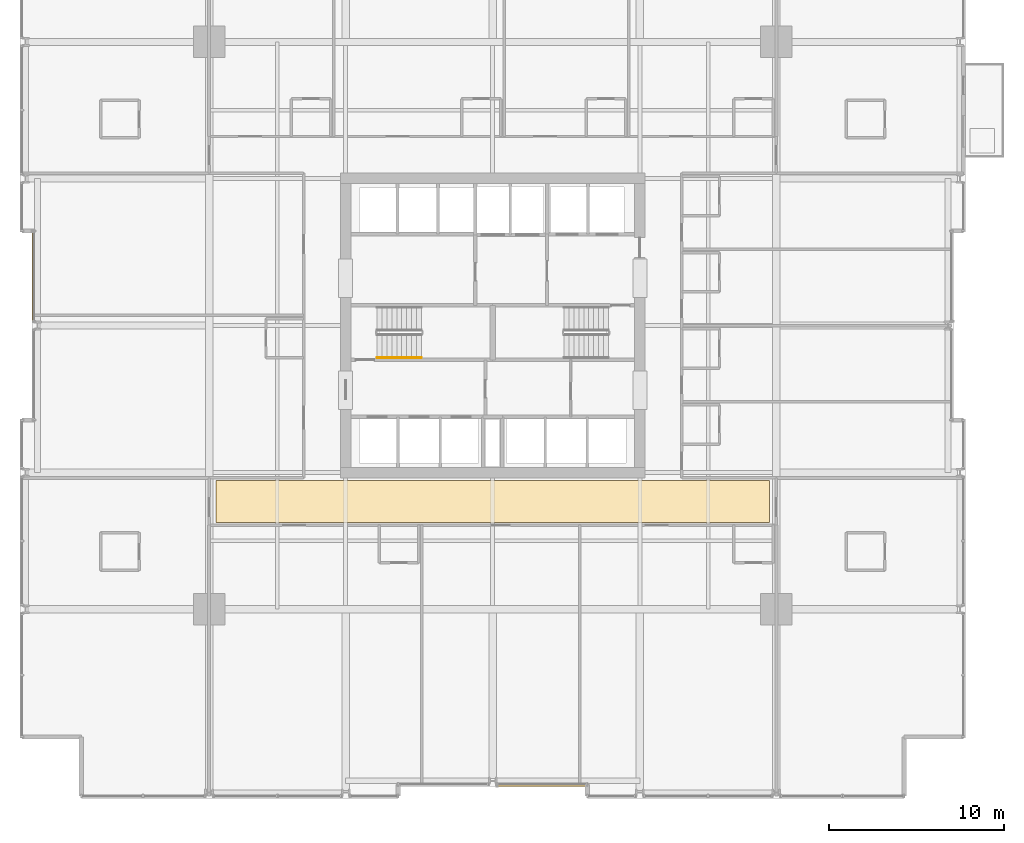
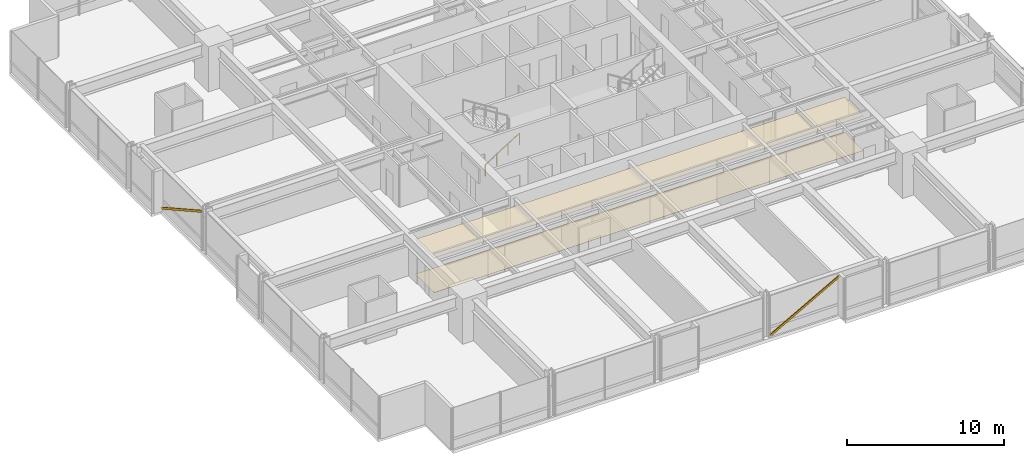
# One storey, part 36 of 38: 2 coverings, 2 shading devices, 1 railing.
"""IFC4 building model written with IfcOpenShell, lengths in metres."""

from ifc_helpers import new_model, si_unit, direction, frame, origin, origin_2d, place, context, subcontext, project, spatial, polyline, hollow_rectangle, circle, outline, extrude, material, layer, layer_set, material_profile, profile_set, type_object, element, save


model = new_model("IFC4")

# Units and contexts
model_context = context("Model", 3, precision=1e-05, world=origin(), true_north=direction((0.0, 1.0)))
body_context = subcontext(model_context, "Body", "Model", "MODEL_VIEW")
ifc_project = project(units=[si_unit("LENGTHUNIT", "METRE"), si_unit("AREAUNIT", "SQUARE_METRE"), si_unit("VOLUMEUNIT", "CUBIC_METRE"), si_unit("PLANEANGLEUNIT", "RADIAN"), si_unit("MASSUNIT", "GRAM", prefix="KILO")], contexts=[model_context])

# Site, building, storey
site_placement = place(None, origin())
site = spatial("IfcSite", under=ifc_project, at=site_placement, CompositionType="ELEMENT")
building_placement = place(site_placement, origin())
building = spatial("IfcBuilding", under=site, at=building_placement, Name="Drelvath Grand Hotel", CompositionType="ELEMENT")
storey_placement = place(building_placement, frame((0.0, 0.0, 50.699951171875)))
storey = spatial("IfcBuildingStorey", under=building, at=storey_placement, Name="L11", CompositionType="ELEMENT", Elevation=50.699951171875)

# Railing
ifc_material_1 = material(Name="Painted Steel S275", Category="steel")
railing_type = type_object("IfcRailingType", Name="Core Stair Wall Handrail 900", PredefinedType="HANDRAIL", material=ifc_material_1)
railing_placement = place(storey_placement, frame((-6.60009765625, 25.169921875, 0.175048828125)))
element("IfcRailing", 1, at=railing_placement, inside=storey, type_object=railing_type, Name="L11 ST-1 stair handrail 1", PredefinedType="HANDRAIL", context=body_context, shape_type="SweptSolid", body=[
    extrude(circle(Radius=0.02392578125, at=origin_2d()), frame((0.0, 0.0, 0.8759765625), z_axis=(0.848007534815, 0.0, 0.529984170421), x_axis=(0.0, 1.0, 0.0)), (0.0, 0.0, 1.0), 2.9716796875),
    extrude(circle(Radius=0.02099609375, at=origin_2d()), origin(), (0.0, 0.0, 1.0), 0.851806640625),
    extrude(circle(Radius=0.02099609375, at=origin_2d()), frame((0.840087890625, 0.0, 0.52490234375)), (0.0, 0.0, 1.0), 0.851806640625),
    extrude(circle(Radius=0.02099609375, at=origin_2d()), frame((1.679931640625, 0.0, 1.050048828125)), (0.0, 0.0, 1.0), 0.851806640625),
    extrude(circle(Radius=0.02099609375, at=origin_2d()), frame((2.52001953125, 0.0, 1.574951171875)), (0.0, 0.0, 1.0), 0.851806640625),
])

# Shading devices
ifc_material_2 = material(Name="Warm Bronze Anodised Aluminium", Category="aluminium")
ifc_material_profile = material_profile(ifc_material_2, hollow_rectangle(XDim=0.06494140625, YDim=0.159912109375, WallThickness=0.00390625, at=origin_2d()), Name="HSS160X65X4")
ifc_profile_set = profile_set([ifc_material_profile], Name="Warm Bronze Anodised Aluminium")
shading_device_type = type_object("IfcShadingDeviceType", Name="Diagonal Solar Fin Warm Bronze Anodised HSS160X65X4", PredefinedType="USERDEFINED", material=ifc_profile_set)
for number, where, z_axis, x_axis, name in (
    (2, (-26.280029296875, 32.39990234375, 0.179931640625), (0.0, -0.873145760887, 0.487459208801), (1.0, 0.0, 0.0), "L11 Diagonal Anodised Fin CW02-L11-WM2"),
    (3, (0.240966796875, 0.719970703125, 0.179931640625), (0.873145760887, 0.0, 0.487459208801), (0.0, 1.0, 0.0), "L11 Diagonal Anodised Fin CW02-L11-SM2"),
):
    element("IfcShadingDevice", number, at=place(storey_placement, frame(where, z_axis=z_axis, x_axis=x_axis)), inside=storey, type_object=shading_device_type, Name=name, ObjectType="FIN", PredefinedType="USERDEFINED", context=body_context, shape_type="SweptSolid", body=[
        extrude(hollow_rectangle(XDim=0.06494140625, YDim=0.159912109375, WallThickness=0.00390625, at=origin_2d()), origin(), (0.0, 0.0, 1.0), 5.908447265625),
    ])

# Coverings
ifc_material_3 = material(Name="Woven Wool Broadloom Carpet")
ifc_layer_1 = layer(ifc_material_3, 0.01806640625)
ifc_layer_set_1 = layer_set([ifc_layer_1], Name="Woven Wool Broadloom Carpet")
covering_type_1 = type_object("IfcCoveringType", Name="Hospitality Broadloom Carpet 18", PredefinedType="FLOORING", material=ifc_layer_set_1)
covering_1_placement = place(storey_placement, origin())
element("IfcCovering", 4, at=covering_1_placement, inside=storey, type_object=covering_type_1, Name="L11 Corridor Broadloom Carpet", PredefinedType="FLOORING", context=body_context, shape_type="SweptSolid", body=[
    extrude(outline(polyline([(15.800048828125, 15.75), (15.800048828125, 18.14990234375), (-15.800048828125, 18.14990234375), (-15.800048828125, 15.75), (15.800048828125, 15.75)])), origin(), (0.0, 0.0, 1.0), 0.01806640625),
])
ifc_material_4 = material(Name="Anodised Aluminium Alloy", Category="aluminium")
ifc_layer_2 = layer(ifc_material_4, 0.0400390625)
ifc_layer_set_2 = layer_set([ifc_layer_2], Name="Anodised Aluminium Alloy")
covering_type_2 = type_object("IfcCoveringType", Name="Perforated Metal Corridor Ceiling 40", PredefinedType="CEILING", material=ifc_layer_set_2)
covering_2_placement = place(storey_placement, frame((0.0, 0.0, 2.68994140625)))
element("IfcCovering", 5, at=covering_2_placement, inside=storey, type_object=covering_type_2, Name="L11 Corridor Acoustic Ceiling", PredefinedType="CEILING", context=body_context, shape_type="SweptSolid", body=[
    extrude(outline(polyline([(15.800048828125, 15.75), (15.800048828125, 18.14990234375), (-15.800048828125, 18.14990234375), (-15.800048828125, 15.75), (15.800048828125, 15.75)])), origin(), (0.0, 0.0, 1.0), 0.0400390625),
])

save(model, "model.ifc")
